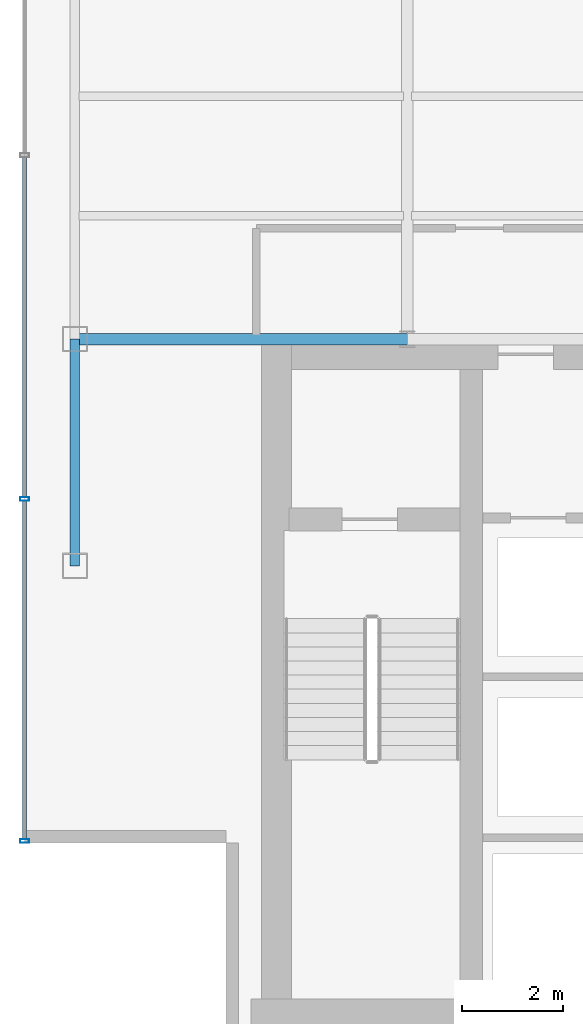
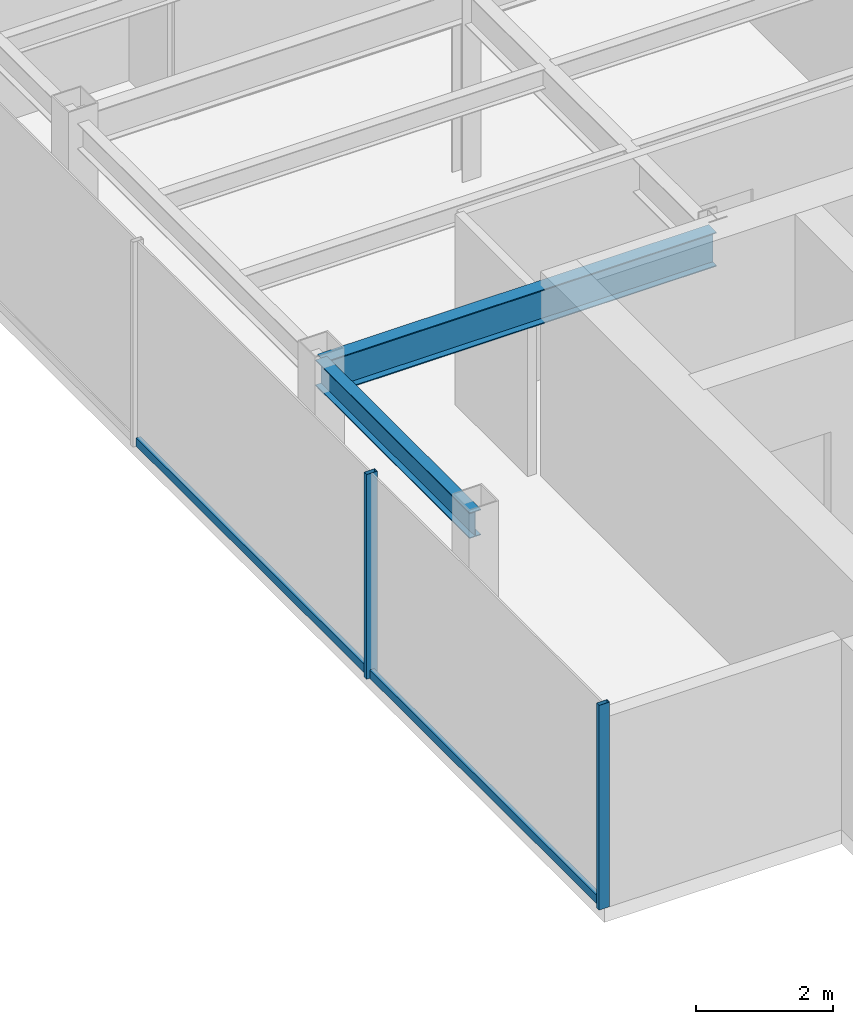
# One storey, part 3 of 22: 4 members, 2 beams, 1 element without a shape of its own.
"""IFC4 building model written with IfcOpenShell, lengths in metres."""

from ifc_helpers import new_model, si_unit, derived_unit, direction, frame, origin, origin_2d, place, context, subcontext, project, spatial, hollow_rectangle, i_section, extrude, source, transform, mapped, material, material_profile, profile_set, type_object, element, aggregate, save


model = new_model("IFC4")

# Units and contexts
model_context = context("Model", 3, precision=1e-05, world=origin(), true_north=direction((0.0, 1.0)))
body_context = subcontext(model_context, "Body", "Model", "MODEL_VIEW")
ifc_project = project(units=[si_unit("LENGTHUNIT", "METRE"), si_unit("AREAUNIT", "SQUARE_METRE"), si_unit("VOLUMEUNIT", "CUBIC_METRE"), si_unit("PLANEANGLEUNIT", "RADIAN"), si_unit("MASSUNIT", "GRAM", prefix="KILO"), derived_unit("THERMALTRANSMITTANCEUNIT", [(si_unit("POWERUNIT", "WATT"), 1), (si_unit("LENGTHUNIT", "METRE"), -2), (si_unit("THERMODYNAMICTEMPERATUREUNIT", "KELVIN"), -1)])], contexts=[model_context])

# Site, building, storey
site_placement = place(None, origin())
site = spatial("IfcSite", under=ifc_project, at=site_placement, CompositionType="ELEMENT")
building_placement = place(site_placement, origin())
building = spatial("IfcBuilding", under=site, at=building_placement, Name="Skarnbrae Concourse Arena and Tower", CompositionType="ELEMENT")
storey_placement = place(building_placement, frame((0.0, 0.0, 221.449951171875)))
storey = spatial("IfcBuildingStorey", under=building, at=storey_placement, Name="L57", CompositionType="ELEMENT", Elevation=221.449951171875)

# Beams
ifc_material_1 = material(Name="Steel CSA G40.21 350W", Category="steel")
ifc_material_profile_1 = material_profile(ifc_material_1, i_section(OverallWidth=0.22802734375, OverallDepth=0.60791015625, WebThickness=0.01123046875, FlangeThickness=0.017333984375, at=origin_2d()), Name="W610X113")
ifc_profile_set_1 = profile_set([ifc_material_profile_1], Name="Steel CSA G40.21 350W")
beam_type_1 = type_object("IfcBeamType", Name="BM-GIRD-W610X113", PredefinedType="BEAM", material=ifc_profile_set_1)
shared_shape_1 = source(origin(), body_context, "Body", "SweptSolid", [
    extrude(i_section(OverallWidth=0.22802734375, OverallDepth=0.60791015625, WebThickness=0.01123046875, FlangeThickness=0.017333984375, at=origin_2d()), origin(), (0.0, 0.0, 1.0), 6.60009765625),
])
beam_1_placement = place(storey_placement, frame((1.0, 14.0, 3.095947265625), z_axis=(1.0, 0.0, 0.0), x_axis=(0.0, 1.0, 0.0)))
element("IfcBeam", 1, at=beam_1_placement, inside=storey, type_object=beam_type_1, Name="L57 Primary E-W girder Y14.0-1", PredefinedType="BEAM", context=body_context, shape_type="MappedRepresentation", body=[
    mapped(shared_shape_1, transform((0.0, 0.0, 0.0))),
])
ifc_material_profile_2 = material_profile(ifc_material_1, i_section(OverallWidth=0.19091796875, OverallDepth=0.4599609375, WebThickness=0.010009765625, FlangeThickness=0.01611328125, at=origin_2d()), Name="W460X82")
ifc_profile_set_2 = profile_set([ifc_material_profile_2], Name="Steel CSA G40.21 350W")
beam_type_2 = type_object("IfcBeamType", Name="BM-SPAN-W460X82", PredefinedType="SPANDREL", material=ifc_profile_set_2)
shared_shape_2 = source(origin(), body_context, "Body", "SweptSolid", [
    extrude(i_section(OverallWidth=0.19091796875, OverallDepth=0.4599609375, WebThickness=0.010009765625, FlangeThickness=0.01611328125, at=origin_2d()), origin(), (0.0, 0.0, 1.0), 4.5),
])
beam_2_placement = place(storey_placement, frame((1.0, 9.5, 3.170166015625), z_axis=(0.0, 1.0, 0.0), x_axis=(-1.0, 0.0, 0.0)))
element("IfcBeam", 2, at=beam_2_placement, inside=storey, type_object=beam_type_2, Name="L57 Perimeter spandrel X1.0-1", PredefinedType="SPANDREL", context=body_context, shape_type="MappedRepresentation", body=[
    mapped(shared_shape_2, transform((0.0, 0.0, 0.0))),
])

# Curtain wall, members
ifc_material_2 = material(Name="Bronze anodised aluminium 6063-T6", Category="aluminium")
curtain_wall_type = type_object("IfcCurtainWallType", Name="CW-SYS-05-HIGHZONE", PredefinedType="USERDEFINED", material=ifc_material_2)
curtain_wall_placement = place(storey_placement, origin())
curtain_wall = element("IfcCurtainWall", 3, at=curtain_wall_placement, inside=storey, type_object=curtain_wall_type, Name="L57 Unitised curtain wall CW-L57-E18", ObjectType="UNITISED CURTAIN WALL", PredefinedType="USERDEFINED")
ifc_material_profile_3 = material_profile(ifc_material_2, hollow_rectangle(XDim=0.074951171875, YDim=0.14990234375, WallThickness=0.00390625, at=origin_2d()), Name="ALU-TRAN-75X150")
ifc_profile_set_3 = profile_set([ifc_material_profile_3], Name="Bronze anodised aluminium 6063-T6")
member_type_1 = type_object("IfcMemberType", Name="CWT-CW-05", PredefinedType="USERDEFINED", material=ifc_profile_set_3)
shared_shape_3 = source(origin(), body_context, "Body", "SweptSolid", [
    extrude(hollow_rectangle(XDim=0.074951171875, YDim=0.14990234375, WallThickness=0.00390625, at=origin_2d()), origin(), (0.0, 0.0, 1.0), 6.712646484375),
])
member_1_placement = place(storey_placement, frame((0.0, 10.78759765625, 0.074951171875), z_axis=(0.0, -1.0, 0.0), x_axis=(1.0, 0.0, 0.0)))
member_1 = element("IfcMember", 4, at=member_1_placement, type_object=member_type_1, Name="CW-L57-E18 Transom 4", ObjectType="TRANSOM", PredefinedType="USERDEFINED", context=body_context, shape_type="MappedRepresentation", body=[
    mapped(shared_shape_3, transform((0.0, 0.0, 0.0))),
])
shared_shape_4 = source(origin(), body_context, "Body", "SweptSolid", [
    extrude(hollow_rectangle(XDim=0.074951171875, YDim=0.14990234375, WallThickness=0.00390625, at=origin_2d()), origin(), (0.0, 0.0, 1.0), 6.75),
])
member_2_placement = place(storey_placement, frame((0.0, 17.612548828125, 0.074951171875), z_axis=(0.0, -1.0, 0.0), x_axis=(1.0, 0.0, 0.0)))
member_2 = element("IfcMember", 5, at=member_2_placement, type_object=member_type_1, Name="CW-L57-E18 Transom 3", ObjectType="TRANSOM", PredefinedType="USERDEFINED", context=body_context, shape_type="MappedRepresentation", body=[
    mapped(shared_shape_4, transform((0.0, 0.0, 0.0))),
])
ifc_material_profile_4 = material_profile(ifc_material_2, hollow_rectangle(XDim=0.074951171875, YDim=0.179931640625, WallThickness=0.00390625, at=origin_2d()), Name="ALU-MULL-75X180")
ifc_profile_set_4 = profile_set([ifc_material_profile_4], Name="Bronze anodised aluminium 6063-T6")
member_type_2 = type_object("IfcMemberType", Name="CWM-CW-05", PredefinedType="MULLION", material=ifc_profile_set_4)
shared_shape_5 = source(origin(), body_context, "Body", "SweptSolid", [
    extrude(hollow_rectangle(XDim=0.074951171875, YDim=0.179931640625, WallThickness=0.00390625, at=origin_2d()), origin(), (0.0, 0.0, 1.0), 3.650146484375),
])
member_3_placement = place(storey_placement, frame((0.0, 10.824951171875, 0.0), z_axis=(0.0, 0.0, 1.0), x_axis=(0.0, -1.0, 0.0)))
member_3 = element("IfcMember", 6, at=member_3_placement, type_object=member_type_2, Name="CW-L57-E18 Mullion 4", PredefinedType="MULLION", context=body_context, shape_type="MappedRepresentation", body=[
    mapped(shared_shape_5, transform((0.0, 0.0, 0.0))),
])
member_4_placement = place(storey_placement, frame((0.0, 4.03759765625, 0.0), z_axis=(0.0, 0.0, 1.0), x_axis=(0.0, -1.0, 0.0)))
member_4 = element("IfcMember", 7, at=member_4_placement, type_object=member_type_2, Name="CW-L57-E18 Mullion 5", PredefinedType="MULLION", context=body_context, shape_type="MappedRepresentation", body=[
    mapped(shared_shape_5, transform((0.0, 0.0, 0.0))),
])
aggregate(curtain_wall, [member_3, member_4, member_2, member_1])

save(model, "model.ifc")
